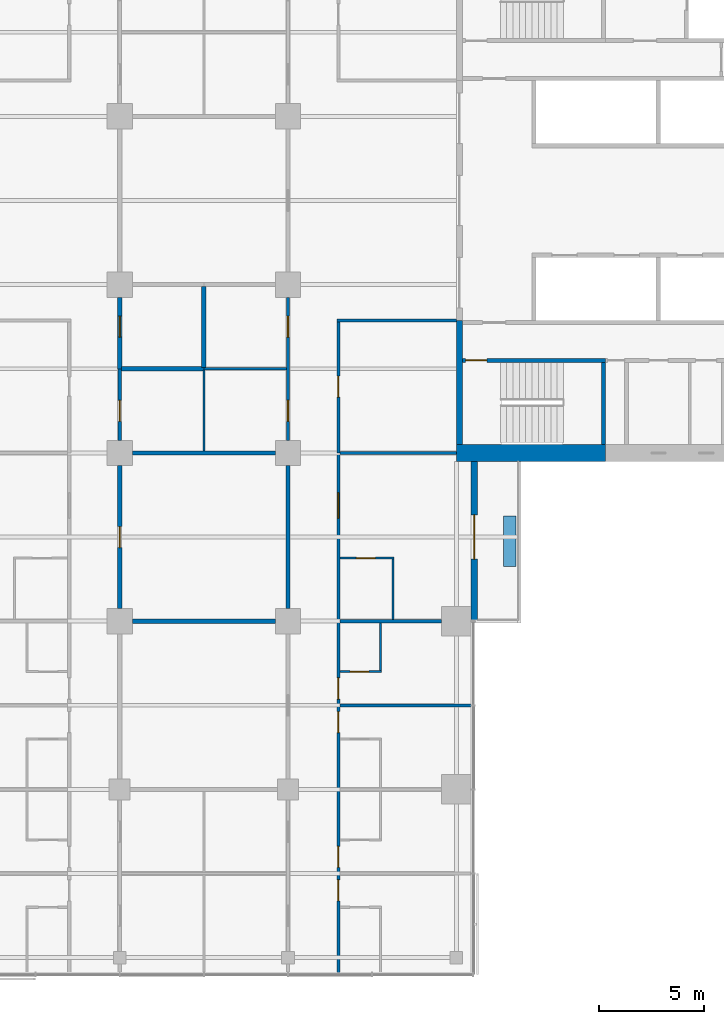
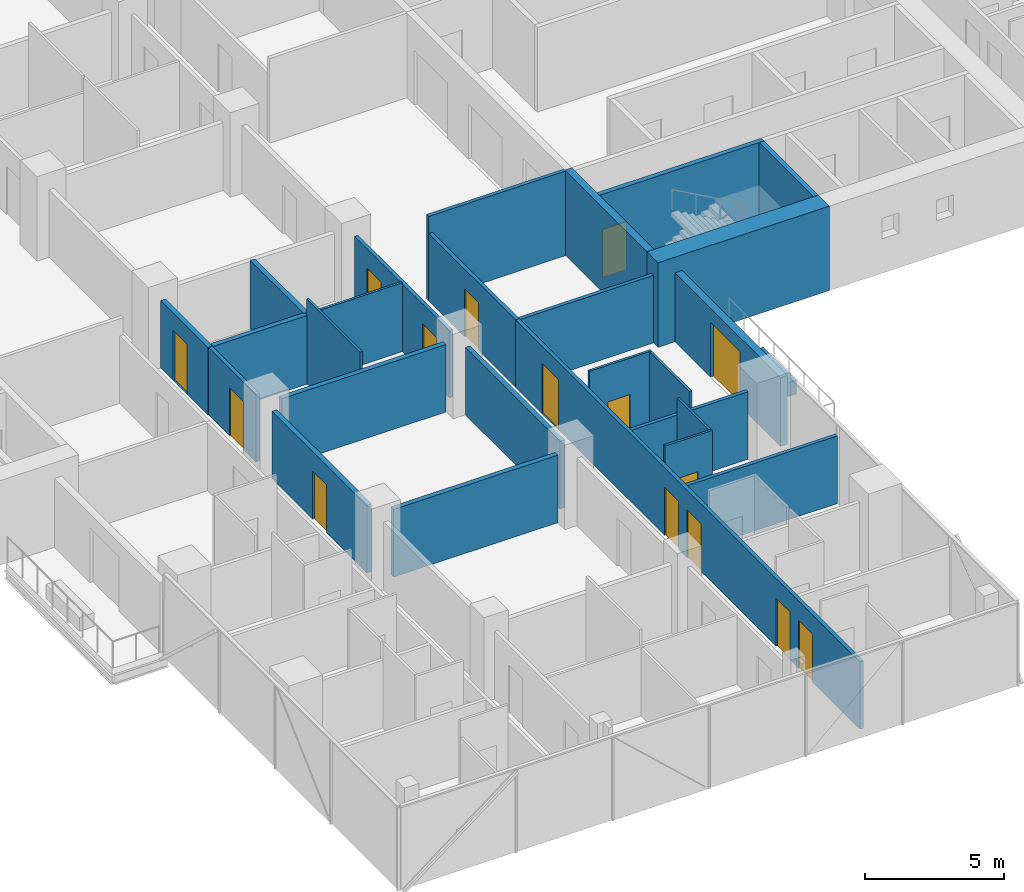
# One storey, part 17 of 29: 27 walls, 15 doors, 15 openings.
"""IFC4 building model written with IfcOpenShell, lengths in metres."""

from ifc_helpers import new_model, si_unit, direction, frame, frame_2d, origin, place, context, subcontext, project, spatial, rectangle, extrude, material, layer, layer_set, constituent, constituent_set, type_object, element, fill, save


model = new_model("IFC4")

# Units and contexts
model_context = context("Model", 3, precision=1e-05, world=origin(), true_north=direction((0.0, 1.0)))
body_context = subcontext(model_context, "Body", "Model", "MODEL_VIEW")
ifc_project = project(units=[si_unit("LENGTHUNIT", "METRE"), si_unit("AREAUNIT", "SQUARE_METRE"), si_unit("VOLUMEUNIT", "CUBIC_METRE"), si_unit("PLANEANGLEUNIT", "RADIAN"), si_unit("MASSUNIT", "GRAM", prefix="KILO")], contexts=[model_context])

# Site, building, storey
site_placement = place(None, origin())
site = spatial("IfcSite", under=ifc_project, at=site_placement, CompositionType="ELEMENT")
building_placement = place(site_placement, origin())
building = spatial("IfcBuilding", under=site, at=building_placement, Name="Crosswind Convention Tower", CompositionType="ELEMENT")
storey_placement = place(building_placement, frame((0.0, 0.0, 53.5)))
storey = spatial("IfcBuildingStorey", under=building, at=storey_placement, Name="L07", CompositionType="ELEMENT", Elevation=53.5)

# Wall
ifc_material_1 = material(Name="Concrete blockwork", Category="masonry")
ifc_layer_1 = layer(ifc_material_1, 0.199951171875)
ifc_layer_set_1 = layer_set([ifc_layer_1], Name="COMPARTMENT WALL 200")
wall_type_1 = type_object("IfcWallType", Name="COMPARTMENT WALL 200", PredefinedType="SOLIDWALL", material=ifc_layer_set_1)
wall_1_placement = place(storey_placement, frame((121.074951171875, 92.0, 0.0), z_axis=(0.0, 0.0, 1.0), x_axis=(1.0, 0.0, 0.0)))
element("IfcWall", 1, at=wall_1_placement, inside=storey, type_object=wall_type_1, Name="Compartment Wall 28", PredefinedType="SOLIDWALL", context=body_context, shape_type="SweptSolid", body=[
    extrude(rectangle(XDim=3.925048828125, YDim=0.199951171875, at=frame_2d((1.96240234375, 0.0))), origin(), (0.0, 0.0, 1.0), 3.013671875),
])

# Wall, opening, door
wall_2_placement = place(storey_placement, frame((121.0, 92.0, 0.0), z_axis=(0.0, 0.0, 1.0), x_axis=(0.0, 1.0, 0.0)))
wall_2 = element("IfcWall", 2, at=wall_2_placement, inside=storey, type_object=wall_type_1, Name="Compartment Wall 112", PredefinedType="SOLIDWALL", context=body_context, shape_type="SweptSolid", body=[
    extrude(rectangle(XDim=3.39990234375, YDim=0.199951171875, at=frame_2d((1.699951171875, 0.0))), origin(), (0.0, 0.0, 1.0), 2.959716796875),
])
opening_1_placement = place(wall_2_placement, frame((1.5, 0.0, 0.0)))
opening_1 = element("IfcOpeningElement", 3, at=opening_1_placement, cuts=wall_2, Name="Opening 07.076", PredefinedType="OPENING", context=body_context, shape_type="SweptSolid", body=[
    extrude(rectangle(XDim=1.0, YDim=2.199951171875, at=frame_2d((0.5, 1.10009765625))), frame((0.0, 0.10986328125, 0.0), z_axis=(0.0, -1.0, 0.0), x_axis=(1.0, 0.0, 0.0)), (0.0, 0.0, 1.0), 0.219970703125),
])
ifc_material_2 = material(Name="Steel fire door", Category="steel")
door_type_1 = type_object("IfcDoorType", Name="PLANT ROOM DOOR 1000X2200", OperationType="NOTDEFINED", PredefinedType="DOOR", material=ifc_material_2)
door_1_placement = place(opening_1_placement, frame((1.0, 0.0, 0.0), z_axis=(0.0, 0.0, 1.0), x_axis=(-1.0, 0.0, 0.0)))
door_1 = element("IfcDoor", 4, at=door_1_placement, inside=storey, type_object=door_type_1, Name="Door 07.076", ObjectType="D6", OperationType="SINGLE_SWING_LEFT", OverallHeight=2.199951171875, OverallWidth=1.0, PredefinedType="DOOR", context=body_context, shape_type="SweptSolid", body=[
    extrude(rectangle(XDim=1.0, YDim=2.199951171875, at=frame_2d((0.5, 1.10009765625))), frame((0.0, 0.02490234375, 0.0), z_axis=(0.0, -1.0, 0.0), x_axis=(1.0, 0.0, 0.0)), (0.0, 0.0, 1.0), 0.050048828125),
])
fill(opening_1, door_1)

# Walls
wall_3_placement = place(storey_placement, frame((125.0, 92.050048828125, 0.0), z_axis=(0.0, 0.0, 1.0), x_axis=(0.0, 1.0, 0.0)))
element("IfcWall", 5, at=wall_3_placement, inside=storey, type_object=wall_type_1, Name="Compartment Wall 123", PredefinedType="SOLIDWALL", context=body_context, shape_type="SweptSolid", body=[
    extrude(rectangle(XDim=3.849853515625, YDim=0.199951171875, at=frame_2d((1.9248046875, 0.0))), origin(), (0.0, 0.0, 1.0), 3.013671875),
])
ifc_material_3 = material(Name="Plasterboard partition", Category="gypsum")
ifc_layer_2 = layer(ifc_material_3, 0.14990234375)
ifc_layer_set_2 = layer_set([ifc_layer_2], Name="CORRIDOR WALL 150")
wall_type_2 = type_object("IfcWallType", Name="CORRIDOR WALL 150", PredefinedType="PARTITIONING", material=ifc_layer_set_2)
wall_4_placement = place(storey_placement, frame((131.324951171875, 94.300048828125, 0.0), z_axis=(0.0, 0.0, 1.0), x_axis=(1.0, 0.0, 0.0)))
element("IfcWall", 6, at=wall_4_placement, inside=storey, type_object=wall_type_2, Name="Corridor Wall 32", PredefinedType="PARTITIONING", context=body_context, shape_type="SweptSolid", body=[
    extrude(rectangle(XDim=5.675048828125, YDim=0.14990234375, at=frame_2d((2.83740234375, 0.0))), origin(), (0.0, 0.0, 1.0), 3.699951171875),
])

# Wall, opening, door
wall_5_placement = place(storey_placement, frame((121.0, 88.60009765625, 0.0), z_axis=(0.0, 0.0, 1.0), x_axis=(0.0, 1.0, 0.0)))
wall_5 = element("IfcWall", 7, at=wall_5_placement, inside=storey, type_object=wall_type_2, Name="Corridor Wall 111", PredefinedType="PARTITIONING", context=body_context, shape_type="SweptSolid", body=[
    extrude(rectangle(XDim=3.39990234375, YDim=0.14990234375, at=frame_2d((1.699951171875, 0.0))), origin(), (0.0, 0.0, 1.0), 2.959716796875),
])
opening_2_placement = place(wall_5_placement, frame((0.89990234375, 0.0, 0.0)))
opening_2 = element("IfcOpeningElement", 8, at=opening_2_placement, cuts=wall_5, Name="Opening 07.075", PredefinedType="OPENING", context=body_context, shape_type="SweptSolid", body=[
    extrude(rectangle(XDim=1.0, YDim=2.10009765625, at=frame_2d((0.5, 1.050048828125))), frame((0.0, 0.0849609375, 0.0), z_axis=(0.0, -1.0, 0.0), x_axis=(1.0, 0.0, 0.0)), (0.0, 0.0, 1.0), 0.169921875),
])
ifc_material_4 = material(Name="Timber fire door", Category="wood")
door_type_2 = type_object("IfcDoorType", Name="SERVICE ROOM DOOR 1000X2100", OperationType="NOTDEFINED", PredefinedType="DOOR", material=ifc_material_4)
door_2_placement = place(opening_2_placement, frame((1.0, 0.0, 0.0), z_axis=(0.0, 0.0, 1.0), x_axis=(-1.0, 0.0, 0.0)))
door_2 = element("IfcDoor", 9, at=door_2_placement, inside=storey, type_object=door_type_2, Name="Door 07.075", ObjectType="D3", OperationType="SINGLE_SWING_RIGHT", OverallHeight=2.10009765625, OverallWidth=1.0, PredefinedType="DOOR", context=body_context, shape_type="SweptSolid", body=[
    extrude(rectangle(XDim=1.0, YDim=2.10009765625, at=frame_2d((0.5, 1.050048828125))), frame((0.0, 0.02490234375, 0.0), z_axis=(0.0, -1.0, 0.0), x_axis=(1.0, 0.0, 0.0)), (0.0, 0.0, 1.0), 0.050048828125),
])
fill(opening_2, door_2)

# Wall, openings, doors
wall_6_placement = place(storey_placement, frame((129.0, 88.60009765625, 0.0), z_axis=(0.0, 0.0, 1.0), x_axis=(0.0, 1.0, 0.0)))
wall_6 = element("IfcWall", 10, at=wall_6_placement, inside=storey, type_object=wall_type_2, Name="Corridor Wall 132", PredefinedType="PARTITIONING", context=body_context, shape_type="SweptSolid", body=[
    extrude(rectangle(XDim=6.7998046875, YDim=0.14990234375, at=frame_2d((3.39990234375, 0.0))), origin(), (0.0, 0.0, 1.0), 2.959716796875),
])
opening_3_placement = place(wall_6_placement, frame((0.89990234375, 0.0, 0.0)))
opening_3 = element("IfcOpeningElement", 11, at=opening_3_placement, cuts=wall_6, Name="Opening 07.077", PredefinedType="OPENING", context=body_context, shape_type="SweptSolid", body=[
    extrude(rectangle(XDim=1.0, YDim=2.10009765625, at=frame_2d((0.5, 1.050048828125))), frame((0.0, 0.0849609375, 0.0), z_axis=(0.0, -1.0, 0.0), x_axis=(1.0, 0.0, 0.0)), (0.0, 0.0, 1.0), 0.169921875),
])
opening_4_placement = place(wall_6_placement, frame((4.89990234375, 0.0, 0.0)))
opening_4 = element("IfcOpeningElement", 12, at=opening_4_placement, cuts=wall_6, Name="Opening 07.078", PredefinedType="OPENING", context=body_context, shape_type="SweptSolid", body=[
    extrude(rectangle(XDim=1.0, YDim=2.10009765625, at=frame_2d((0.5, 1.050048828125))), frame((0.0, 0.0849609375, 0.0), z_axis=(0.0, -1.0, 0.0), x_axis=(1.0, 0.0, 0.0)), (0.0, 0.0, 1.0), 0.169921875),
])
door_3_placement = place(opening_3_placement, origin())
door_3 = element("IfcDoor", 13, at=door_3_placement, inside=storey, type_object=door_type_2, Name="Door 07.077", ObjectType="D3", OperationType="SINGLE_SWING_LEFT", OverallHeight=2.10009765625, OverallWidth=1.0, PredefinedType="DOOR", context=body_context, shape_type="SweptSolid", body=[
    extrude(rectangle(XDim=1.0, YDim=2.10009765625, at=frame_2d((0.5, 1.050048828125))), frame((0.0, 0.02490234375, 0.0), z_axis=(0.0, -1.0, 0.0), x_axis=(1.0, 0.0, 0.0)), (0.0, 0.0, 1.0), 0.050048828125),
])
fill(opening_3, door_3)
door_4_placement = place(opening_4_placement, origin())
door_4 = element("IfcDoor", 14, at=door_4_placement, inside=storey, type_object=door_type_2, Name="Door 07.078", ObjectType="D3", OperationType="SINGLE_SWING_RIGHT", OverallHeight=2.10009765625, OverallWidth=1.0, PredefinedType="DOOR", context=body_context, shape_type="SweptSolid", body=[
    extrude(rectangle(XDim=1.0, YDim=2.10009765625, at=frame_2d((0.5, 1.050048828125))), frame((0.0, 0.02490234375, 0.0), z_axis=(0.0, -1.0, 0.0), x_axis=(1.0, 0.0, 0.0)), (0.0, 0.0, 1.0), 0.050048828125),
])
fill(opening_4, door_4)

# Wall, opening, door
wall_7_placement = place(storey_placement, frame((131.39990234375, 88.0, 0.0), z_axis=(0.0, 0.0, 1.0), x_axis=(0.0, 1.0, 0.0)))
wall_7 = element("IfcWall", 15, at=wall_7_placement, inside=storey, type_object=wall_type_2, Name="Corridor Wall 140", PredefinedType="PARTITIONING", context=body_context, shape_type="SweptSolid", body=[
    extrude(rectangle(XDim=6.22509765625, YDim=0.14990234375, at=frame_2d((3.112548828125, 0.0))), origin(), (0.0, 0.0, 1.0), 2.956298828125),
])
opening_5_placement = place(wall_7_placement, frame((2.64990234375, 0.0, 0.0)))
opening_5 = element("IfcOpeningElement", 16, at=opening_5_placement, cuts=wall_7, Name="Opening 07.002", PredefinedType="OPENING", context=body_context, shape_type="SweptSolid", body=[
    extrude(rectangle(XDim=1.0, YDim=2.10009765625, at=frame_2d((0.5, 1.050048828125))), frame((0.0, 0.0849609375, 0.0), z_axis=(0.0, -1.0, 0.0), x_axis=(1.0, 0.0, 0.0)), (0.0, 0.0, 1.0), 0.169921875),
])
door_5_placement = place(opening_5_placement, frame((1.0, 0.0, 0.0), z_axis=(0.0, 0.0, 1.0), x_axis=(-1.0, 0.0, 0.0)))
door_5 = element("IfcDoor", 17, at=door_5_placement, inside=storey, type_object=door_type_2, Name="Door 07.002", ObjectType="D3", OperationType="SINGLE_SWING_LEFT", OverallHeight=2.10009765625, OverallWidth=1.0, PredefinedType="DOOR", context=body_context, shape_type="SweptSolid", body=[
    extrude(rectangle(XDim=1.0, YDim=2.10009765625, at=frame_2d((0.5, 1.050048828125))), frame((0.0, 0.02490234375, 0.0), z_axis=(0.0, -1.0, 0.0), x_axis=(1.0, 0.0, 0.0)), (0.0, 0.0, 1.0), 0.050048828125),
])
fill(opening_5, door_5)

# Walls
ifc_material_5 = material(Name="Concrete C50/60", Category="concrete")
ifc_layer_3 = layer(ifc_material_5, 0.300048828125)
ifc_layer_set_3 = layer_set([ifc_layer_3], Name="Concrete C50/60")
wall_type_3 = type_object("IfcWallType", Name="Concrete inner core wall 300", PredefinedType="SHEAR", material=ifc_layer_set_3)
wall_8_placement = place(storey_placement, frame((137.14990234375, 88.39990234375, 0.0), z_axis=(0.0, 0.0, 1.0), x_axis=(0.0, 1.0, 0.0)))
element("IfcWall", 18, at=wall_8_placement, inside=storey, type_object=wall_type_3, Name="Wall EM E L07", PredefinedType="SHEAR", context=body_context, shape_type="SweptSolid", body=[
    extrude(rectangle(XDim=5.900146484375, YDim=0.300048828125, at=frame_2d((2.9501953125, 0.0))), origin(), (0.0, 0.0, 1.0), 3.699951171875),
])
ifc_layer_4 = layer(ifc_material_5, 0.199951171875)
ifc_layer_set_4 = layer_set([ifc_layer_4], Name="Concrete C50/60")
wall_type_4 = type_object("IfcWallType", Name="Concrete shaft and stair wall 200", PredefinedType="SHEAR", material=ifc_layer_set_4)
wall_9_placement = place(storey_placement, frame((144.0, 88.39990234375, 0.0), z_axis=(0.0, 0.0, 1.0), x_axis=(0.0, 1.0, 0.0)))
element("IfcWall", 19, at=wall_9_placement, inside=storey, type_object=wall_type_4, Name="Wall MSE E L07", PredefinedType="SHEAR", context=body_context, shape_type="SweptSolid", body=[
    extrude(rectangle(XDim=3.900146484375, YDim=0.199951171875, at=frame_2d((1.9501953125, 0.0))), origin(), (0.0, 0.0, 1.0), 3.699951171875),
])

# Wall, opening, door
wall_10_placement = place(storey_placement, frame((137.300048828125, 92.39990234375, 0.0), z_axis=(0.0, 0.0, 1.0), x_axis=(1.0, 0.0, 0.0)))
wall_10 = element("IfcWall", 20, at=wall_10_placement, inside=storey, type_object=wall_type_4, Name="Wall MCW E L07", PredefinedType="SHEAR", context=body_context, shape_type="SweptSolid", body=[
    extrude(rectangle(XDim=6.800048828125, YDim=0.199951171875, at=frame_2d((3.39990234375, 0.0))), origin(), (0.0, 0.0, 1.0), 3.699951171875),
])
opening_6_placement = place(wall_10_placement, frame((0.14990234375, 0.0, 0.0)))
opening_6 = element("IfcOpeningElement", 21, at=opening_6_placement, cuts=wall_10, Name="Opening D103", PredefinedType="OPENING", context=body_context, shape_type="SweptSolid", body=[
    extrude(rectangle(XDim=1.0, YDim=2.10009765625, at=frame_2d((0.5, 1.050048828125))), frame((0.0, 0.10986328125, 0.0), z_axis=(0.0, -1.0, 0.0), x_axis=(1.0, 0.0, 0.0)), (0.0, 0.0, 1.0), 0.219970703125),
])
door_type_3 = type_object("IfcDoorType", Name="Fire-rated single door 1000x2100", OperationType="NOTDEFINED", PredefinedType="DOOR", material=ifc_material_2)
door_6_placement = place(opening_6_placement, frame((1.0, 0.0, 0.0), z_axis=(0.0, 0.0, 1.0), x_axis=(-1.0, 0.0, 0.0)))
door_6 = element("IfcDoor", 22, at=door_6_placement, inside=storey, type_object=door_type_3, Name="Stair ST2 door L07", ObjectType="D103", OperationType="SINGLE_SWING_RIGHT", OverallHeight=2.10009765625, OverallWidth=1.0, PredefinedType="DOOR", context=body_context, shape_type="SweptSolid", body=[
    extrude(rectangle(XDim=1.0, YDim=2.10009765625, at=frame_2d((0.5, 1.050048828125))), frame((0.0, 0.02490234375, 0.0), z_axis=(0.0, -1.0, 0.0), x_axis=(1.0, 0.0, 0.0)), (0.0, 0.0, 1.0), 0.050048828125),
])
fill(opening_6, door_6)

# Walls
ifc_material_6 = material(Name="Acoustic plasterboard partition", Category="gypsum")
ifc_layer_5 = layer(ifc_material_6, 0.14990234375)
ifc_layer_set_5 = layer_set([ifc_layer_5], Name="GUEST ROOM WALL 150")
wall_type_5 = type_object("IfcWallType", Name="GUEST ROOM WALL 150", PredefinedType="PARTITIONING", material=ifc_layer_set_5)
wall_11_placement = place(storey_placement, frame((131.47509765625, 76.0, 0.0), z_axis=(0.0, 0.0, 1.0), x_axis=(1.0, 0.0, 0.0)))
element("IfcWall", 23, at=wall_11_placement, inside=storey, type_object=wall_type_5, Name="Guest Room Wall 14", PredefinedType="PARTITIONING", context=body_context, shape_type="SweptSolid", body=[
    extrude(rectangle(XDim=6.224853515625, YDim=0.14990234375, at=frame_2d((3.1123046875, 0.0))), origin(), (0.0, 0.0, 1.0), 2.962890625),
])
wall_12_placement = place(storey_placement, frame((131.47509765625, 80.0, 0.0), z_axis=(0.0, 0.0, 1.0), x_axis=(1.0, 0.0, 0.0)))
element("IfcWall", 24, at=wall_12_placement, inside=storey, type_object=wall_type_5, Name="Guest Room Wall 19", PredefinedType="PARTITIONING", context=body_context, shape_type="SweptSolid", body=[
    extrude(rectangle(XDim=4.824951171875, YDim=0.14990234375, at=frame_2d((2.41259765625, 0.0))), origin(), (0.0, 0.0, 1.0), 2.959716796875),
])
wall_13_placement = place(storey_placement, frame((131.47509765625, 88.0, 0.0), z_axis=(0.0, 0.0, 1.0), x_axis=(1.0, 0.0, 0.0)))
element("IfcWall", 25, at=wall_13_placement, inside=storey, type_object=wall_type_5, Name="Guest Room Wall 24", PredefinedType="PARTITIONING", context=body_context, shape_type="SweptSolid", body=[
    extrude(rectangle(XDim=5.52490234375, YDim=0.14990234375, at=frame_2d((2.762451171875, 0.0))), origin(), (0.0, 0.0, 1.0), 2.956298828125),
])

# Wall, openings, doors
wall_14_placement = place(storey_placement, frame((131.39990234375, 63.300048828125, 0.0), z_axis=(0.0, 0.0, 1.0), x_axis=(0.0, 1.0, 0.0)))
wall_14 = element("IfcWall", 26, at=wall_14_placement, inside=storey, type_object=wall_type_5, Name="Guest Room Wall 139", PredefinedType="PARTITIONING", context=body_context, shape_type="SweptSolid", body=[
    extrude(rectangle(XDim=24.699951171875, YDim=0.14990234375, at=frame_2d((12.35009765625, 0.0))), origin(), (0.0, 0.0, 1.0), 2.956298828125),
])
opening_7_placement = place(wall_14_placement, frame((21.60009765625, 0.0, 0.0)))
opening_7 = element("IfcOpeningElement", 27, at=opening_7_placement, cuts=wall_14, Name="Opening 07.025", PredefinedType="OPENING", context=body_context, shape_type="SweptSolid", body=[
    extrude(rectangle(XDim=1.199951171875, YDim=2.199951171875, at=frame_2d((0.60009765625, 1.10009765625))), frame((0.0, 0.0849609375, 0.0), z_axis=(0.0, -1.0, 0.0), x_axis=(1.0, 0.0, 0.0)), (0.0, 0.0, 1.0), 0.169921875),
])
opening_8_placement = place(wall_14_placement, frame((13.0, 0.0, 0.0)))
opening_8 = element("IfcOpeningElement", 28, at=opening_8_placement, cuts=wall_14, Name="Opening 07.027", PredefinedType="OPENING", context=body_context, shape_type="SweptSolid", body=[
    extrude(rectangle(XDim=1.0, YDim=2.10009765625, at=frame_2d((0.5, 1.050048828125))), frame((0.0, 0.0849609375, 0.0), z_axis=(0.0, -1.0, 0.0), x_axis=(1.0, 0.0, 0.0)), (0.0, 0.0, 1.0), 0.169921875),
])
opening_9_placement = place(wall_14_placement, frame((11.39990234375, 0.0, 0.0)))
opening_9 = element("IfcOpeningElement", 29, at=opening_9_placement, cuts=wall_14, Name="Opening 07.029", PredefinedType="OPENING", context=body_context, shape_type="SweptSolid", body=[
    extrude(rectangle(XDim=1.0, YDim=2.10009765625, at=frame_2d((0.5, 1.050048828125))), frame((0.0, 0.0849609375, 0.0), z_axis=(0.0, -1.0, 0.0), x_axis=(1.0, 0.0, 0.0)), (0.0, 0.0, 1.0), 0.169921875),
])
opening_10_placement = place(wall_14_placement, frame((5.0, 0.0, 0.0)))
opening_10 = element("IfcOpeningElement", 30, at=opening_10_placement, cuts=wall_14, Name="Opening 07.031", PredefinedType="OPENING", context=body_context, shape_type="SweptSolid", body=[
    extrude(rectangle(XDim=1.0, YDim=2.10009765625, at=frame_2d((0.5, 1.050048828125))), frame((0.0, 0.0849609375, 0.0), z_axis=(0.0, -1.0, 0.0), x_axis=(1.0, 0.0, 0.0)), (0.0, 0.0, 1.0), 0.169921875),
])
opening_11_placement = place(wall_14_placement, frame((3.39990234375, 0.0, 0.0)))
opening_11 = element("IfcOpeningElement", 31, at=opening_11_placement, cuts=wall_14, Name="Opening 07.033", PredefinedType="OPENING", context=body_context, shape_type="SweptSolid", body=[
    extrude(rectangle(XDim=1.0, YDim=2.10009765625, at=frame_2d((0.5, 1.050048828125))), frame((0.0, 0.0849609375, 0.0), z_axis=(0.0, -1.0, 0.0), x_axis=(1.0, 0.0, 0.0)), (0.0, 0.0, 1.0), 0.169921875),
])
door_type_4 = type_object("IfcDoorType", Name="GUEST ROOM DOOR 1000X2100", OperationType="NOTDEFINED", PredefinedType="DOOR", material=ifc_material_4)
door_7_placement = place(opening_8_placement, frame((1.0, 0.0, 0.0), z_axis=(0.0, 0.0, 1.0), x_axis=(-1.0, 0.0, 0.0)))
door_7 = element("IfcDoor", 32, at=door_7_placement, inside=storey, type_object=door_type_4, Name="Door 07.027", ObjectType="D1", OperationType="SINGLE_SWING_LEFT", OverallHeight=2.10009765625, OverallWidth=1.0, PredefinedType="DOOR", context=body_context, shape_type="SweptSolid", body=[
    extrude(rectangle(XDim=1.0, YDim=2.10009765625, at=frame_2d((0.5, 1.050048828125))), frame((0.0, 0.02490234375, 0.0), z_axis=(0.0, -1.0, 0.0), x_axis=(1.0, 0.0, 0.0)), (0.0, 0.0, 1.0), 0.050048828125),
])
fill(opening_8, door_7)
door_8_placement = place(opening_9_placement, frame((1.0, 0.0, 0.0), z_axis=(0.0, 0.0, 1.0), x_axis=(-1.0, 0.0, 0.0)))
door_8 = element("IfcDoor", 33, at=door_8_placement, inside=storey, type_object=door_type_4, Name="Door 07.029", ObjectType="D1", OperationType="SINGLE_SWING_LEFT", OverallHeight=2.10009765625, OverallWidth=1.0, PredefinedType="DOOR", context=body_context, shape_type="SweptSolid", body=[
    extrude(rectangle(XDim=1.0, YDim=2.10009765625, at=frame_2d((0.5, 1.050048828125))), frame((0.0, 0.02490234375, 0.0), z_axis=(0.0, -1.0, 0.0), x_axis=(1.0, 0.0, 0.0)), (0.0, 0.0, 1.0), 0.050048828125),
])
fill(opening_9, door_8)
door_9_placement = place(opening_10_placement, frame((1.0, 0.0, 0.0), z_axis=(0.0, 0.0, 1.0), x_axis=(-1.0, 0.0, 0.0)))
door_9 = element("IfcDoor", 34, at=door_9_placement, inside=storey, type_object=door_type_4, Name="Door 07.031", ObjectType="D1", OperationType="SINGLE_SWING_LEFT", OverallHeight=2.10009765625, OverallWidth=1.0, PredefinedType="DOOR", context=body_context, shape_type="SweptSolid", body=[
    extrude(rectangle(XDim=1.0, YDim=2.10009765625, at=frame_2d((0.5, 1.050048828125))), frame((0.0, 0.02490234375, 0.0), z_axis=(0.0, -1.0, 0.0), x_axis=(1.0, 0.0, 0.0)), (0.0, 0.0, 1.0), 0.050048828125),
])
fill(opening_10, door_9)
door_10_placement = place(opening_11_placement, frame((1.0, 0.0, 0.0), z_axis=(0.0, 0.0, 1.0), x_axis=(-1.0, 0.0, 0.0)))
door_10 = element("IfcDoor", 35, at=door_10_placement, inside=storey, type_object=door_type_4, Name="Door 07.033", ObjectType="D1", OperationType="SINGLE_SWING_LEFT", OverallHeight=2.10009765625, OverallWidth=1.0, PredefinedType="DOOR", context=body_context, shape_type="SweptSolid", body=[
    extrude(rectangle(XDim=1.0, YDim=2.10009765625, at=frame_2d((0.5, 1.050048828125))), frame((0.0, 0.02490234375, 0.0), z_axis=(0.0, -1.0, 0.0), x_axis=(1.0, 0.0, 0.0)), (0.0, 0.0, 1.0), 0.050048828125),
])
fill(opening_11, door_10)
door_type_5 = type_object("IfcDoorType", Name="SUITE DOOR 1200X2200", OperationType="DOUBLE_DOOR_SINGLE_SWING", PredefinedType="DOOR", material=ifc_material_4)
door_11_placement = place(opening_7_placement, frame((1.199951171875, 0.0, 0.0), z_axis=(0.0, 0.0, 1.0), x_axis=(-1.0, 0.0, 0.0)))
door_11 = element("IfcDoor", 36, at=door_11_placement, inside=storey, type_object=door_type_5, Name="Door 07.025", ObjectType="D14", OperationType="DOUBLE_DOOR_SINGLE_SWING", OverallHeight=2.199951171875, OverallWidth=1.199951171875, PredefinedType="DOOR", context=body_context, shape_type="SweptSolid", body=[
    extrude(rectangle(XDim=1.199951171875, YDim=2.199951171875, at=frame_2d((0.60009765625, 1.10009765625))), frame((0.0, 0.02490234375, 0.0), z_axis=(0.0, -1.0, 0.0), x_axis=(1.0, 0.0, 0.0)), (0.0, 0.0, 1.0), 0.050048828125),
])
fill(opening_7, door_11)

# Walls
ifc_material_7 = material(Name="Double plasterboard partition", Category="gypsum")
ifc_layer_6 = layer(ifc_material_7, 0.199951171875)
ifc_layer_set_6 = layer_set([ifc_layer_6], Name="HALL WALL 200")
wall_type_6 = type_object("IfcWallType", Name="HALL WALL 200", PredefinedType="PARTITIONING", material=ifc_layer_set_6)
for number, where, z_axis, x_axis, name in (
    (37, (121.60009765625, 80.0, 0.0), (0.0, 0.0, 1.0), (1.0, 0.0, 0.0), "Hall Wall 18"),
    (38, (121.60009765625, 88.0, 0.0), (0.0, 0.0, 1.0), (1.0, 0.0, 0.0), "Hall Wall 23"),
):
    element("IfcWall", number, at=place(storey_placement, frame(where, z_axis=z_axis, x_axis=x_axis)), inside=storey, type_object=wall_type_6, Name=name, PredefinedType="PARTITIONING", context=body_context, shape_type="SweptSolid", body=[
        extrude(rectangle(XDim=6.7998046875, YDim=0.199951171875, at=frame_2d((3.39990234375, 0.0))), origin(), (0.0, 0.0, 1.0), 2.959716796875),
    ])

# Wall, opening, door
wall_15_placement = place(storey_placement, frame((121.0, 80.60009765625, 0.0), z_axis=(0.0, 0.0, 1.0), x_axis=(0.0, 1.0, 0.0)))
wall_15 = element("IfcWall", 39, at=wall_15_placement, inside=storey, type_object=wall_type_6, Name="Hall Wall 110", PredefinedType="PARTITIONING", context=body_context, shape_type="SweptSolid", body=[
    extrude(rectangle(XDim=6.7998046875, YDim=0.199951171875, at=frame_2d((3.39990234375, 0.0))), origin(), (0.0, 0.0, 1.0), 2.959716796875),
])
opening_12_placement = place(wall_15_placement, frame((2.89990234375, 0.0, 0.0)))
opening_12 = element("IfcOpeningElement", 40, at=opening_12_placement, cuts=wall_15, Name="Opening 07.074", PredefinedType="OPENING", context=body_context, shape_type="SweptSolid", body=[
    extrude(rectangle(XDim=1.0, YDim=2.10009765625, at=frame_2d((0.5, 1.050048828125))), frame((0.0, 0.10986328125, 0.0), z_axis=(0.0, -1.0, 0.0), x_axis=(1.0, 0.0, 0.0)), (0.0, 0.0, 1.0), 0.219970703125),
])
door_type_6 = type_object("IfcDoorType", Name="MEETING ROOM DOOR 1000X2100", OperationType="NOTDEFINED", PredefinedType="DOOR", material=ifc_material_4)
door_12_placement = place(opening_12_placement, origin())
door_12 = element("IfcDoor", 41, at=door_12_placement, inside=storey, type_object=door_type_6, Name="Door 07.074", ObjectType="D13", OperationType="SINGLE_SWING_RIGHT", OverallHeight=2.10009765625, OverallWidth=1.0, PredefinedType="DOOR", context=body_context, shape_type="SweptSolid", body=[
    extrude(rectangle(XDim=1.0, YDim=2.10009765625, at=frame_2d((0.5, 1.050048828125))), frame((0.0, 0.02490234375, 0.0), z_axis=(0.0, -1.0, 0.0), x_axis=(1.0, 0.0, 0.0)), (0.0, 0.0, 1.0), 0.050048828125),
])
fill(opening_12, door_12)

# Walls
wall_16_placement = place(storey_placement, frame((129.0, 80.60009765625, 0.0), z_axis=(0.0, 0.0, 1.0), x_axis=(0.0, 1.0, 0.0)))
element("IfcWall", 42, at=wall_16_placement, inside=storey, type_object=wall_type_6, Name="Hall Wall 131", PredefinedType="PARTITIONING", context=body_context, shape_type="SweptSolid", body=[
    extrude(rectangle(XDim=6.7998046875, YDim=0.199951171875, at=frame_2d((3.39990234375, 0.0))), origin(), (0.0, 0.0, 1.0), 2.959716796875),
])
ifc_layer_7 = layer(ifc_material_3, 0.10009765625)
ifc_layer_set_7 = layer_set([ifc_layer_7], Name="PARTITION 100")
wall_type_7 = type_object("IfcWallType", Name="PARTITION 100", PredefinedType="PARTITIONING", material=ifc_layer_set_7)
wall_17_placement = place(storey_placement, frame((125.0, 92.0, 0.0), z_axis=(0.0, 0.0, 1.0), x_axis=(1.0, 0.0, 0.0)))
element("IfcWall", 43, at=wall_17_placement, inside=storey, type_object=wall_type_7, Name="Partition 29", PredefinedType="PARTITIONING", context=body_context, shape_type="SweptSolid", body=[
    extrude(rectangle(XDim=3.925048828125, YDim=0.10009765625, at=frame_2d((1.96240234375, 0.0))), origin(), (0.0, 0.0, 1.0), 3.013671875),
])
wall_18_placement = place(storey_placement, frame((125.0, 88.10009765625, 0.0), z_axis=(0.0, 0.0, 1.0), x_axis=(0.0, 1.0, 0.0)))
element("IfcWall", 44, at=wall_18_placement, inside=storey, type_object=wall_type_7, Name="Partition 122", PredefinedType="PARTITIONING", context=body_context, shape_type="SweptSolid", body=[
    extrude(rectangle(XDim=3.849853515625, YDim=0.10009765625, at=frame_2d((1.9248046875, 0.0))), origin(), (0.0, 0.0, 1.0), 3.699951171875),
])
ifc_material_8 = material(Name="Concrete C30/37", Category="concrete")
ifc_layer_8 = layer(ifc_material_8, 0.60009765625)
ifc_layer_set_8 = layer_set([ifc_layer_8], Name="Concrete C30/37")
wall_type_8 = type_object("IfcWallType", Name="PLANTER BOX WALL 600", PredefinedType="SOLIDWALL", material=ifc_layer_set_8)
wall_19_placement = place(storey_placement, frame((139.550048828125, 82.60009765625, 0.0), z_axis=(0.0, 0.0, 1.0), x_axis=(0.0, 1.0, 0.0)))
element("IfcWall", 45, at=wall_19_placement, inside=storey, type_object=wall_type_8, Name="PLANTER L07 S-E.1-3", PredefinedType="SOLIDWALL", context=body_context, shape_type="SweptSolid", body=[
    extrude(rectangle(XDim=2.39990234375, YDim=0.60009765625, at=frame_2d((1.199951171875, 0.0))), origin(), (0.0, 0.0, 1.0), 0.60009765625),
])

# Wall, opening, door
ifc_material_9 = material(Name="Terracotta rainscreen", Category="ceramic")
ifc_layer_9 = layer(ifc_material_9, 0.02001953125)
ifc_material_10 = material(Name="Mineral wool insulation", Category="insulation")
ifc_layer_10 = layer(ifc_material_10, 0.10009765625)
ifc_layer_11 = layer(ifc_material_1, 0.179931640625)
ifc_layer_set_9 = layer_set([ifc_layer_9, ifc_layer_10, ifc_layer_11], Name="TERRACOTTA INFILL WALL 300")
wall_type_9 = type_object("IfcWallType", Name="TERRACOTTA INFILL WALL 300", PredefinedType="SOLIDWALL", material=ifc_layer_set_9)
wall_20_placement = place(storey_placement, frame((137.85009765625, 80.032470703125, 0.0), z_axis=(0.0, 0.0, 1.0), x_axis=(0.0, 1.0, 0.0)))
wall_20 = element("IfcWall", 46, at=wall_20_placement, inside=storey, type_object=wall_type_9, Name="Notch front wall L07 S-E.1-3", PredefinedType="SOLIDWALL", context=body_context, shape_type="SweptSolid", body=[
    extrude(rectangle(XDim=7.567626953125, YDim=0.300048828125, at=frame_2d((3.78369140625, 0.0))), origin(), (0.0, 0.0, 1.0), 3.013671875),
])
opening_13_placement = place(wall_20_placement, frame((2.91748046875, 0.0, 0.0)))
opening_13 = element("IfcOpeningElement", 47, at=opening_13_placement, cuts=wall_20, Name="Opening D141", PredefinedType="OPENING", context=body_context, shape_type="SweptSolid", body=[
    extrude(rectangle(XDim=2.10009765625, YDim=2.39990234375, at=frame_2d((1.050048828125, 1.199951171875))), frame((0.0, 0.159912109375, 0.0), z_axis=(0.0, -1.0, 0.0), x_axis=(1.0, 0.0, 0.0)), (0.0, 0.0, 1.0), 0.320068359375),
])
ifc_material_11 = material(Name="Aluminium glazed door", Category="aluminium")
door_type_7 = type_object("IfcDoorType", Name="BALCONY SLIDING DOOR 2100X2400", OperationType="SLIDING_TO_LEFT", PredefinedType="DOOR", material=ifc_material_11)
door_13_placement = place(opening_13_placement, frame((2.10009765625, 0.0, 0.0), z_axis=(0.0, 0.0, 1.0), x_axis=(-1.0, 0.0, 0.0)))
door_13 = element("IfcDoor", 48, at=door_13_placement, inside=storey, type_object=door_type_7, Name="D141 balcony door L07 S-E.1-3", ObjectType="D141", OperationType="SLIDING_TO_LEFT", OverallHeight=2.39990234375, OverallWidth=2.10009765625, PredefinedType="DOOR", context=body_context, shape_type="SweptSolid", body=[
    extrude(rectangle(XDim=2.10009765625, YDim=2.39990234375, at=frame_2d((1.050048828125, 1.199951171875))), frame((0.0, 0.02490234375, 0.0), z_axis=(0.0, -1.0, 0.0), x_axis=(1.0, 0.0, 0.0)), (0.0, 0.0, 1.0), 0.050048828125),
])
fill(opening_13, door_13)

# Wall
ifc_material_12 = material(Name="Concrete C60/75", Category="concrete")
ifc_constituent_1 = constituent(ifc_material_12, Name="Structure")
ifc_constituent_2 = constituent(ifc_material_9, Name="Facing")
ifc_constituent_set = constituent_set(constituents=[ifc_constituent_1, ifc_constituent_2], Name="Concrete C60/75, Terracotta rainscreen")
wall_type_10 = type_object("IfcWallType", Name="Terracotta rainscreen on concrete core wall 800", PredefinedType="SHEAR", material=ifc_constituent_set)
wall_21_placement = place(storey_placement, frame((137.0, 88.0, 0.0), z_axis=(0.0, 0.0, 1.0), x_axis=(1.0, 0.0, 0.0)))
element("IfcWall", 49, at=wall_21_placement, inside=storey, type_object=wall_type_10, Name="Wall S1 E L07", PredefinedType="SHEAR", context=body_context, shape_type="SweptSolid", body=[
    extrude(rectangle(XDim=7.10009765625, YDim=0.800048828125, at=frame_2d((3.550048828125, 0.0))), origin(), (0.0, 0.0, 1.0), 3.699951171875),
])

# Wall, opening, door
ifc_material_13 = material(Name="Water-resistant plasterboard partition", Category="gypsum")
ifc_layer_12 = layer(ifc_material_13, 0.10009765625)
ifc_layer_set_10 = layer_set([ifc_layer_12], Name="WET ROOM PARTITION 100")
wall_type_11 = type_object("IfcWallType", Name="WET ROOM PARTITION 100", PredefinedType="PLUMBINGWALL", material=ifc_layer_set_10)
wall_22_placement = place(storey_placement, frame((131.47509765625, 77.60009765625, 0.0), z_axis=(0.0, 0.0, 1.0), x_axis=(1.0, 0.0, 0.0)))
wall_22 = element("IfcWall", 50, at=wall_22_placement, inside=storey, type_object=wall_type_11, Name="Wet Room Partition 16", PredefinedType="PLUMBINGWALL", context=body_context, shape_type="SweptSolid", body=[
    extrude(rectangle(XDim=1.974853515625, YDim=0.10009765625, at=frame_2d((0.9873046875, 0.0))), origin(), (0.0, 0.0, 1.0), 3.699951171875),
])
opening_14_placement = place(wall_22_placement, frame((0.47509765625, 0.0, 0.0)))
opening_14 = element("IfcOpeningElement", 51, at=opening_14_placement, cuts=wall_22, Name="Opening 07.028", PredefinedType="OPENING", context=body_context, shape_type="SweptSolid", body=[
    extrude(rectangle(XDim=0.89990234375, YDim=2.10009765625, at=frame_2d((0.449951171875, 1.050048828125))), frame((0.0, 0.06005859375, 0.0), z_axis=(0.0, -1.0, 0.0), x_axis=(1.0, 0.0, 0.0)), (0.0, 0.0, 1.0), 0.1201171875),
])
ifc_material_14 = material(Name="Timber door", Category="wood")
door_type_8 = type_object("IfcDoorType", Name="EN-SUITE DOOR 900X2100", OperationType="NOTDEFINED", PredefinedType="DOOR", material=ifc_material_14)
door_14_placement = place(opening_14_placement, origin())
door_14 = element("IfcDoor", 52, at=door_14_placement, inside=storey, type_object=door_type_8, Name="Door 07.028", ObjectType="D2", OperationType="SINGLE_SWING_RIGHT", OverallHeight=2.10009765625, OverallWidth=0.89990234375, PredefinedType="DOOR", context=body_context, shape_type="SweptSolid", body=[
    extrude(rectangle(XDim=0.89990234375, YDim=2.10009765625, at=frame_2d((0.449951171875, 1.050048828125))), frame((0.0, 0.02490234375, 0.0), z_axis=(0.0, -1.0, 0.0), x_axis=(1.0, 0.0, 0.0)), (0.0, 0.0, 1.0), 0.050048828125),
])
fill(opening_14, door_14)

wall_23_placement = place(storey_placement, frame((131.47509765625, 83.0, 0.0), z_axis=(0.0, 0.0, 1.0), x_axis=(1.0, 0.0, 0.0)))
wall_23 = element("IfcWall", 53, at=wall_23_placement, inside=storey, type_object=wall_type_11, Name="Wet Room Partition 21", PredefinedType="PLUMBINGWALL", context=body_context, shape_type="SweptSolid", body=[
    extrude(rectangle(XDim=2.574951171875, YDim=0.10009765625, at=frame_2d((1.28759765625, 0.0))), origin(), (0.0, 0.0, 1.0), 3.699951171875),
])
opening_15_placement = place(wall_23_placement, frame((0.77490234375, 0.0, 0.0)))
opening_15 = element("IfcOpeningElement", 54, at=opening_15_placement, cuts=wall_23, Name="Opening 07.026", PredefinedType="OPENING", context=body_context, shape_type="SweptSolid", body=[
    extrude(rectangle(XDim=0.89990234375, YDim=2.10009765625, at=frame_2d((0.449951171875, 1.050048828125))), frame((0.0, 0.06005859375, 0.0), z_axis=(0.0, -1.0, 0.0), x_axis=(1.0, 0.0, 0.0)), (0.0, 0.0, 1.0), 0.1201171875),
])
door_15_placement = place(opening_15_placement, frame((0.89990234375, 0.0, 0.0), z_axis=(0.0, 0.0, 1.0), x_axis=(-1.0, 0.0, 0.0)))
door_15 = element("IfcDoor", 55, at=door_15_placement, inside=storey, type_object=door_type_8, Name="Door 07.026", ObjectType="D2", OperationType="SINGLE_SWING_LEFT", OverallHeight=2.10009765625, OverallWidth=0.89990234375, PredefinedType="DOOR", context=body_context, shape_type="SweptSolid", body=[
    extrude(rectangle(XDim=0.89990234375, YDim=2.10009765625, at=frame_2d((0.449951171875, 1.050048828125))), frame((0.0, 0.02490234375, 0.0), z_axis=(0.0, -1.0, 0.0), x_axis=(1.0, 0.0, 0.0)), (0.0, 0.0, 1.0), 0.050048828125),
])
fill(opening_15, door_15)

# Walls
wall_24_placement = place(storey_placement, frame((133.39990234375, 77.64990234375, 0.0), z_axis=(0.0, 0.0, 1.0), x_axis=(0.0, 1.0, 0.0)))
element("IfcWall", 56, at=wall_24_placement, inside=storey, type_object=wall_type_11, Name="Wet Room Partition 146", PredefinedType="PLUMBINGWALL", context=body_context, shape_type="SweptSolid", body=[
    extrude(rectangle(XDim=2.275146484375, YDim=0.10009765625, at=frame_2d((1.1376953125, 0.0))), origin(), (0.0, 0.0, 1.0), 3.699951171875),
])
wall_25_placement = place(storey_placement, frame((134.0, 80.074951171875, 0.0), z_axis=(0.0, 0.0, 1.0), x_axis=(0.0, 1.0, 0.0)))
element("IfcWall", 57, at=wall_25_placement, inside=storey, type_object=wall_type_11, Name="Wet Room Partition 151", PredefinedType="PLUMBINGWALL", context=body_context, shape_type="SweptSolid", body=[
    extrude(rectangle(XDim=2.875, YDim=0.10009765625, at=frame_2d((1.4375, 0.0))), origin(), (0.0, 0.0, 1.0), 3.699951171875),
])

save(model, "model.ifc")
